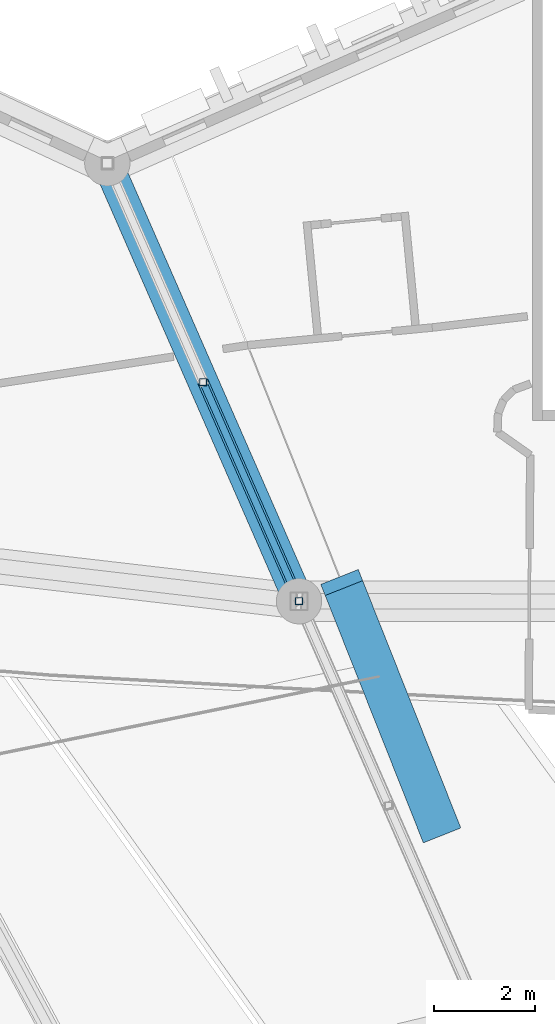
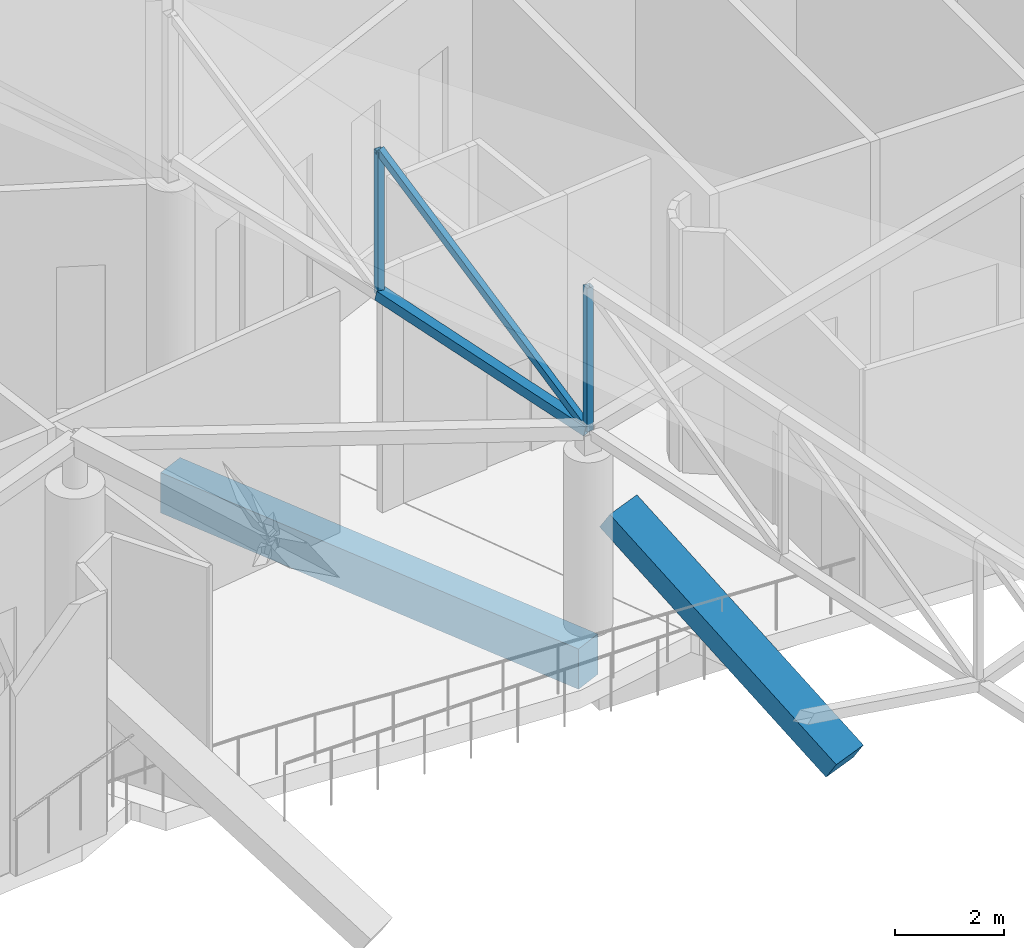
# One storey, part 163 of 344: 4 members, 2 beams.
"""IFC4 building model written with IfcOpenShell, lengths in metres."""

from ifc_helpers import new_model, si_unit, direction, frame, origin, origin_2d, place, context, subcontext, project, spatial, rectangle, hollow_rectangle, extrude, material, material_profile, profile_set, type_object, element, save


model = new_model("IFC4")

# Units and contexts
model_context = context("Model", 3, precision=1e-05, world=origin(), true_north=direction((0.0, 1.0)))
body_context = subcontext(model_context, "Body", "Model", "MODEL_VIEW")
ifc_project = project(units=[si_unit("LENGTHUNIT", "METRE"), si_unit("AREAUNIT", "SQUARE_METRE"), si_unit("VOLUMEUNIT", "CUBIC_METRE"), si_unit("PLANEANGLEUNIT", "RADIAN"), si_unit("MASSUNIT", "GRAM", prefix="KILO")], contexts=[model_context])

# Site, building, storey
site_placement = place(None, origin())
site = spatial("IfcSite", under=ifc_project, at=site_placement, CompositionType="ELEMENT")
building_placement = place(site_placement, origin())
building = spatial("IfcBuilding", under=site, at=building_placement, Name="Meseta Stadium", CompositionType="ELEMENT")
storey_placement = place(building_placement, frame((0.0, 0.0, 24.0)))
storey = spatial("IfcBuildingStorey", under=building, at=storey_placement, Name="L04", CompositionType="ELEMENT", Elevation=24.0)

# Beams
ifc_material_1 = material(Name="Concrete C40/50", Category="concrete")
ifc_material_profile_1 = material_profile(ifc_material_1, rectangle(XDim=0.60009765625, YDim=0.89990234375, at=origin_2d()), Name="RC 600x900")
ifc_profile_set_1 = profile_set([ifc_material_profile_1], Name="Concrete C40/50")
beam_type_1 = type_object("IfcBeamType", Name="RC beam 600x900", PredefinedType="BEAM", material=ifc_profile_set_1)
beam_1_placement = place(storey_placement, frame((-34.53076171875, 89.911865234375, -0.85009765625), z_axis=(-0.4009417199, 0.91610356251, 0.0), x_axis=(-0.91610356251, -0.4009417199, 0.0)))
element("IfcBeam", 1, at=beam_1_placement, inside=storey, type_object=beam_type_1, Name="L04 radial beam frame 21 line P to R", PredefinedType="BEAM", context=body_context, shape_type="SweptSolid", body=[
    extrude(rectangle(XDim=0.60009765625, YDim=0.89990234375, at=origin_2d()), origin(), (0.0, 0.0, 1.0), 9.48388671875),
])
ifc_material_2 = material(Name="Concrete C40/50", Category="concrete")
ifc_material_profile_2 = material_profile(ifc_material_2, rectangle(XDim=0.800048828125, YDim=0.449951171875, at=origin_2d()), Name="RC 800x450")
ifc_profile_set_2 = profile_set([ifc_material_profile_2], Name="Concrete C40/50")
beam_type_2 = type_object("IfcBeamType", Name="RC raker upper rear 800x450", PredefinedType="USERDEFINED", material=ifc_profile_set_2)
beam_2_placement = place(storey_placement, frame((-31.73681640625, 85.376708984375, -1.297607421875), z_axis=(-0.312988278729, 0.788750872969, 0.529065589288), x_axis=(-0.929493983417, -0.368837274136, 0.0)))
element("IfcBeam", 2, at=beam_2_placement, inside=storey, type_object=beam_type_2, Name="Raker upper rear frame 21 upper tier", ObjectType="RAKER", PredefinedType="USERDEFINED", context=body_context, shape_type="SweptSolid", body=[
    extrude(rectangle(XDim=0.800048828125, YDim=0.449951171875, at=origin_2d()), origin(), (0.0, 0.0, 1.0), 6.219970703125),
])

# Members
ifc_material_3 = material(Name="Steel S355", Category="steel")
ifc_material_profile_3 = material_profile(ifc_material_3, hollow_rectangle(XDim=0.139892578125, YDim=0.139892578125, WallThickness=0.0048828125, at=origin_2d()), Name="SHS 140x140x5")
ifc_profile_set_3 = profile_set([ifc_material_profile_3], Name="Steel S355")
member_type_1 = type_object("IfcMemberType", Name="SHS 140x140x5 diagonal", PredefinedType="BRACE", material=ifc_profile_set_3)
member_1_placement = place(storey_placement, frame((-34.53076171875, 89.911865234375, 4.338134765625), z_axis=(-0.297968152162, 0.680758517132, 0.669165765449), x_axis=(-0.916089968182, -0.400972779869, 0.0)))
element("IfcMember", 3, at=member_1_placement, inside=storey, type_object=member_type_1, Name="ROOF TRUSS RT-21 diagonal", PredefinedType="BRACE", context=body_context, shape_type="SweptSolid", body=[
    extrude(hollow_rectangle(XDim=0.139892578125, YDim=0.139892578125, WallThickness=0.0048828125, at=origin_2d()), origin(), (0.0, 0.0, 1.0), 6.381103515625),
])
ifc_material_4 = material(Name="Steel S355", Category="steel")
ifc_material_profile_4 = material_profile(ifc_material_4, hollow_rectangle(XDim=0.139892578125, YDim=0.139892578125, WallThickness=0.0048828125, at=origin_2d()), Name="SHS 140x140x5")
ifc_profile_set_4 = profile_set([ifc_material_profile_4], Name="Steel S355")
member_type_2 = type_object("IfcMemberType", Name="SHS 140x140x5 post", PredefinedType="POST", material=ifc_profile_set_4)
member_2_placement = place(storey_placement, frame((-34.53076171875, 89.911865234375, 4.338134765625), z_axis=(0.0, 0.0, 1.0), x_axis=(1.0, 0.0, 0.0)))
element("IfcMember", 4, at=member_2_placement, inside=storey, type_object=member_type_2, Name="ROOF TRUSS RT-21 post", PredefinedType="POST", context=body_context, shape_type="SweptSolid", body=[
    extrude(hollow_rectangle(XDim=0.139892578125, YDim=0.139892578125, WallThickness=0.0048828125, at=origin_2d()), origin(), (0.0, 0.0, 1.0), 3.2001953125),
])
member_3_placement = place(storey_placement, frame((-36.43212890625, 94.255859375, 5.408203125), z_axis=(0.0, 0.0, 1.0), x_axis=(1.0, 0.0, 0.0)))
element("IfcMember", 5, at=member_3_placement, inside=storey, type_object=member_type_2, Name="ROOF TRUSS RT-21 post", PredefinedType="POST", context=body_context, shape_type="SweptSolid", body=[
    extrude(hollow_rectangle(XDim=0.139892578125, YDim=0.139892578125, WallThickness=0.0048828125, at=origin_2d()), origin(), (0.0, 0.0, 1.0), 3.199951171875),
])
ifc_material_5 = material(Name="Steel S355", Category="steel")
ifc_material_profile_5 = material_profile(ifc_material_5, hollow_rectangle(XDim=0.219970703125, YDim=0.219970703125, WallThickness=0.008056640625, at=origin_2d()), Name="SHS 220x220x8")
ifc_profile_set_5 = profile_set([ifc_material_profile_5], Name="Steel S355")
member_type_3 = type_object("IfcMemberType", Name="SHS 220x220x8 bottom chord", PredefinedType="CHORD", material=ifc_profile_set_5)
member_4_placement = place(storey_placement, frame((-34.53076171875, 89.911865234375, 4.338134765625), z_axis=(-0.391137339018, 0.893619244113, 0.220127755125), x_axis=(-0.916089968182, -0.400972779869, 0.0)))
element("IfcMember", 6, at=member_4_placement, inside=storey, type_object=member_type_3, Name="ROOF TRUSS RT-21 bottom chord", PredefinedType="CHORD", context=body_context, shape_type="SweptSolid", body=[
    extrude(hollow_rectangle(XDim=0.219970703125, YDim=0.219970703125, WallThickness=0.008056640625, at=origin_2d()), origin(), (0.0, 0.0, 1.0), 4.861083984375),
])

save(model, "model.ifc")
